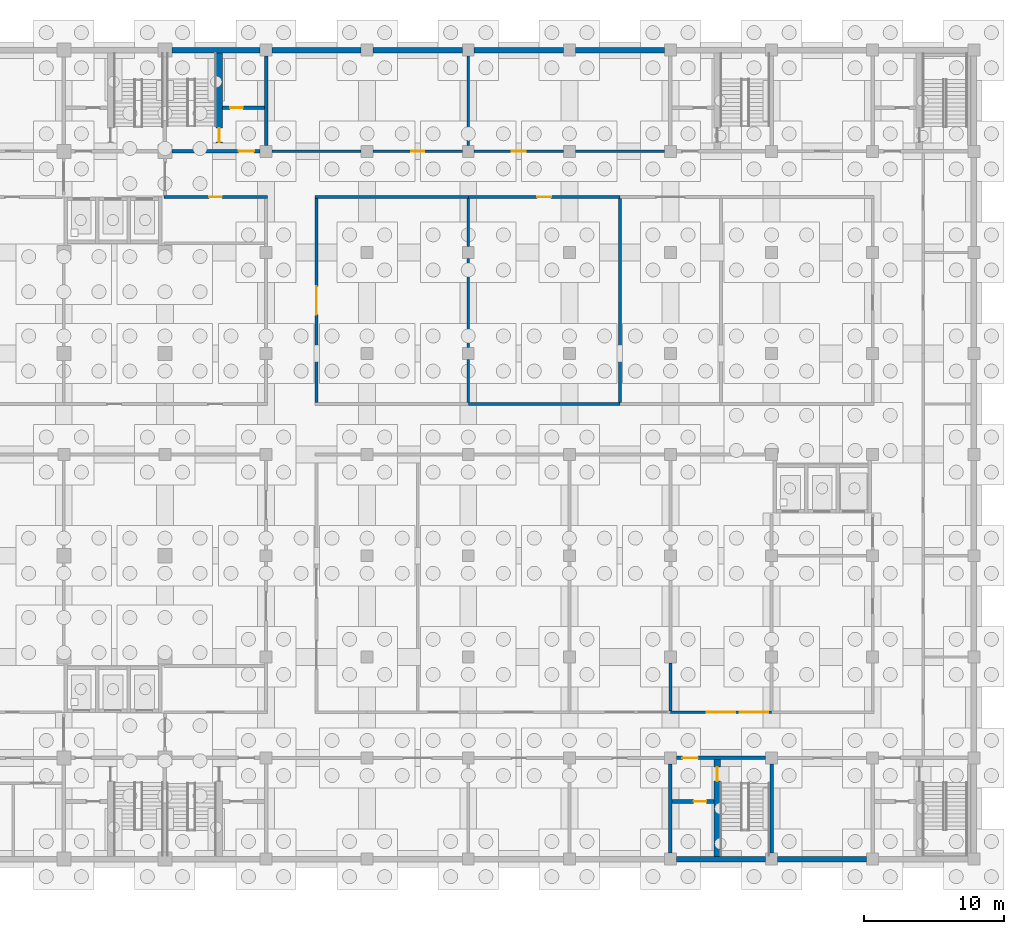
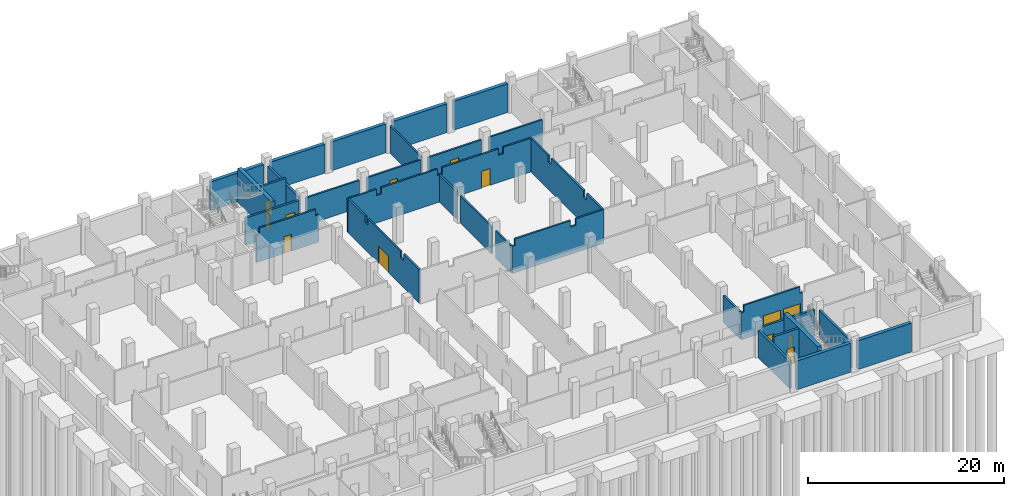
# One storey, part 11 of 19: 32 walls, 13 doors, 13 openings.
"""IFC4 building model written with IfcOpenShell, lengths in metres."""

from ifc_helpers import new_model, si_unit, direction, frame, frame_2d, origin, place, context, subcontext, project, spatial, polyline, rectangle, outline, extrude, material, layer, layer_set, type_object, element, fill, save


model = new_model("IFC4")

# Units and contexts
model_context = context("Model", 3, precision=1e-05, world=origin(), true_north=direction((0.0, 1.0)))
body_context = subcontext(model_context, "Body", "Model", "MODEL_VIEW")
ifc_project = project(units=[si_unit("LENGTHUNIT", "METRE"), si_unit("AREAUNIT", "SQUARE_METRE"), si_unit("VOLUMEUNIT", "CUBIC_METRE"), si_unit("PLANEANGLEUNIT", "RADIAN"), si_unit("MASSUNIT", "GRAM", prefix="KILO")], contexts=[model_context])

# Site, building, storey
site_placement = place(None, origin())
site = spatial("IfcSite", under=ifc_project, at=site_placement, CompositionType="ELEMENT")
building_placement = place(site_placement, origin())
building = spatial("IfcBuilding", under=site, at=building_placement, Name="Silangan Lancet Faculty of Sciences", CompositionType="ELEMENT")
storey_placement = place(building_placement, frame((0.0, 0.0, -4.5)))
storey = spatial("IfcBuildingStorey", under=building, at=storey_placement, Name="B1", CompositionType="ELEMENT", Elevation=-4.5)

# Wall
ifc_material_1 = material(Name="Hollow block masonry fm 7 MPa", Category="masonry")
ifc_layer_1 = layer(ifc_material_1, 0.199951171875)
ifc_layer_set_1 = layer_set([ifc_layer_1], Name="Hollow block masonry fm 7 MPa")
wall_type_1 = type_object("IfcWallType", Name="Interior wall PW1 Corridor wall CHB 200", PredefinedType="PARTITIONING", material=ifc_layer_set_1)
wall_1_placement = place(storey_placement, frame((50.39990234375, 32.39990234375, 0.0), z_axis=(0.0, 0.0, 1.0), x_axis=(1.0, 0.0, 0.0)))
element("IfcWall", 1, at=wall_1_placement, inside=storey, type_object=wall_type_1, Name="Corridor wall CHB 200", PredefinedType="PARTITIONING", context=body_context, shape_type="SweptSolid", body=[
    extrude(outline(polyline([(0.0, 0.0), (10.800048828125, 0.0), (10.800048828125, 4.199951171875), (7.5, 4.199951171875), (7.5, 3.39990234375), (6.900146484375, 3.39990234375), (6.900146484375, 4.199951171875), (0.300048828125, 4.199951171875), (0.300048828125, 3.39990234375), (0.0, 3.39990234375), (0.0, 0.0)])), frame((0.0, 0.10009765625, 0.0), z_axis=(0.0, -1.0, 0.0), x_axis=(1.0, 0.0, 0.0)), (0.0, 0.0, 1.0), 0.199951171875),
])

# Wall, opening, door
wall_2_placement = place(storey_placement, frame((50.39990234375, 47.14990234375, 0.0), z_axis=(0.0, 0.0, 1.0), x_axis=(1.0, 0.0, 0.0)))
wall_2 = element("IfcWall", 2, at=wall_2_placement, inside=storey, type_object=wall_type_1, Name="Corridor wall CHB 200", PredefinedType="PARTITIONING", context=body_context, shape_type="SweptSolid", body=[
    extrude(outline(polyline([(0.0, 0.0), (10.800048828125, 0.0), (10.800048828125, 4.199951171875), (7.5, 4.199951171875), (7.5, 3.39990234375), (6.900146484375, 3.39990234375), (6.900146484375, 4.199951171875), (0.300048828125, 4.199951171875), (0.300048828125, 3.39990234375), (0.0, 3.39990234375), (0.0, 0.0)])), frame((0.0, 0.10009765625, 0.0), z_axis=(0.0, -1.0, 0.0), x_axis=(1.0, 0.0, 0.0)), (0.0, 0.0, 1.0), 0.199951171875),
])
opening_1_placement = place(wall_2_placement, frame((4.900146484375, 0.0, 0.0)))
opening_1 = element("IfcOpeningElement", 3, at=opening_1_placement, cuts=wall_2, Name="Opening B1-028", PredefinedType="OPENING", context=body_context, shape_type="SweptSolid", body=[
    extrude(rectangle(XDim=1.0, YDim=2.10009765625, at=frame_2d((0.5, 1.050048828125))), frame((0.0, 0.10986328125, 0.0), z_axis=(0.0, -1.0, 0.0), x_axis=(1.0, 0.0, 0.0)), (0.0, 0.0, 1.0), 0.219970703125),
])
ifc_material_2 = material(Name="Steel fire door set", Category="steel")
door_type_1 = type_object("IfcDoorType", Name="Door D1 Single leaf fire door 1000 x 2100", OperationType="SINGLE_SWING_LEFT", PredefinedType="DOOR", material=ifc_material_2)
door_1_placement = place(opening_1_placement, frame((1.0, 0.0, 0.0), z_axis=(0.0, 0.0, 1.0), x_axis=(-1.0, 0.0, 0.0)))
door_1 = element("IfcDoor", 4, at=door_1_placement, inside=storey, type_object=door_type_1, Name="Single leaf fire door 1000 x 2100", OperationType="SINGLE_SWING_LEFT", OverallHeight=2.10009765625, OverallWidth=1.0, PredefinedType="DOOR", context=body_context, shape_type="SweptSolid", body=[
    extrude(rectangle(XDim=1.0, YDim=2.10009765625, at=frame_2d((0.5, 1.050048828125))), frame((0.0, 0.025146484375, 0.0), z_axis=(0.0, -1.0, 0.0), x_axis=(1.0, 0.0, 0.0)), (0.0, 0.0, 1.0), 0.050048828125),
])
fill(opening_1, door_1)

wall_3_placement = place(storey_placement, frame((50.824951171875, 50.39990234375, 0.0), z_axis=(0.0, 0.0, 1.0), x_axis=(1.0, 0.0, 0.0)))
wall_3 = element("IfcWall", 5, at=wall_3_placement, inside=storey, type_object=wall_type_1, Name="Corridor wall CHB 200", PredefinedType="PARTITIONING", context=body_context, shape_type="SweptSolid", body=[
    extrude(rectangle(XDim=6.35009765625, YDim=0.199951171875, at=frame_2d((3.175048828125, 0.0))), origin(), (0.0, 0.0, 1.0), 3.39990234375),
])
opening_2_placement = place(wall_3_placement, frame((2.675048828125, 0.0, 0.0)))
opening_2 = element("IfcOpeningElement", 6, at=opening_2_placement, cuts=wall_3, Name="Opening B1-042", PredefinedType="OPENING", context=body_context, shape_type="SweptSolid", body=[
    extrude(rectangle(XDim=1.0, YDim=2.10009765625, at=frame_2d((0.5, 1.050048828125))), frame((0.0, 0.10986328125, 0.0), z_axis=(0.0, -1.0, 0.0), x_axis=(1.0, 0.0, 0.0)), (0.0, 0.0, 1.0), 0.219970703125),
])
door_2_placement = place(opening_2_placement, origin())
door_2 = element("IfcDoor", 7, at=door_2_placement, inside=storey, type_object=door_type_1, Name="Single leaf fire door 1000 x 2100", OperationType="SINGLE_SWING_RIGHT", OverallHeight=2.10009765625, OverallWidth=1.0, PredefinedType="DOOR", context=body_context, shape_type="SweptSolid", body=[
    extrude(rectangle(XDim=1.0, YDim=2.10009765625, at=frame_2d((0.5, 1.050048828125))), frame((0.0, 0.02490234375, 0.0), z_axis=(0.0, -1.0, 0.0), x_axis=(1.0, 0.0, 0.0)), (0.0, 0.0, 1.0), 0.050048828125),
])
fill(opening_2, door_2)

# Wall
wall_4_placement = place(storey_placement, frame((58.02490234375, 50.39990234375, 0.0), z_axis=(0.0, 0.0, 1.0), x_axis=(1.0, 0.0, 0.0)))
element("IfcWall", 8, at=wall_4_placement, inside=storey, type_object=wall_type_1, Name="Corridor wall CHB 200", PredefinedType="PARTITIONING", context=body_context, shape_type="SweptSolid", body=[
    extrude(rectangle(XDim=6.35009765625, YDim=0.199951171875, at=frame_2d((3.175048828125, 0.0))), origin(), (0.0, 0.0, 1.0), 3.39990234375),
])

# Wall, opening, door
ifc_material_3 = material(Name="Concrete C35/45", Category="concrete")
ifc_layer_2 = layer(ifc_material_3, 0.199951171875)
ifc_layer_set_2 = layer_set([ifc_layer_2], Name="Concrete C35/45")
wall_type_2 = type_object("IfcWallType", Name="Interior wall PW5 Riser wall RC 200", PredefinedType="SOLIDWALL", material=ifc_layer_set_2)
wall_5_placement = place(storey_placement, frame((28.72509765625, 47.14990234375, 0.0), z_axis=(0.0, 0.0, 1.0), x_axis=(1.0, 0.0, 0.0)))
wall_5 = element("IfcWall", 9, at=wall_5_placement, inside=storey, type_object=wall_type_2, Name="Riser wall RC 200", PredefinedType="SOLIDWALL", context=body_context, shape_type="SweptSolid", body=[
    extrude(outline(polyline([(0.0, 0.0), (7.375, 0.0), (7.375, 3.39990234375), (6.974853515625, 3.39990234375), (6.974853515625, 4.199951171875), (0.375, 4.199951171875), (0.375, 3.39990234375), (0.0, 3.39990234375), (0.0, 0.0)])), frame((0.0, 0.10009765625, 0.0), z_axis=(0.0, -1.0, 0.0), x_axis=(1.0, 0.0, 0.0)), (0.0, 0.0, 1.0), 0.199951171875),
])
opening_3_placement = place(wall_5_placement, frame((3.224853515625, 0.0, 0.0)))
opening_3 = element("IfcOpeningElement", 10, at=opening_3_placement, cuts=wall_5, Name="Opening B1-026", PredefinedType="OPENING", context=body_context, shape_type="SweptSolid", body=[
    extrude(rectangle(XDim=0.89990234375, YDim=2.10009765625, at=frame_2d((0.449951171875, 1.050048828125))), frame((0.0, 0.10986328125, 0.0), z_axis=(0.0, -1.0, 0.0), x_axis=(1.0, 0.0, 0.0)), (0.0, 0.0, 1.0), 0.219970703125),
])
ifc_material_4 = material(Name="Steel fire door set", Category="steel")
door_type_2 = type_object("IfcDoorType", Name="Door D9 Riser access door 900 x 2100", OperationType="SINGLE_SWING_LEFT", PredefinedType="DOOR", material=ifc_material_4)
door_3_placement = place(opening_3_placement, frame((0.89990234375, 0.0, 0.0), z_axis=(0.0, 0.0, 1.0), x_axis=(-1.0, 0.0, 0.0)))
door_3 = element("IfcDoor", 11, at=door_3_placement, inside=storey, type_object=door_type_2, Name="Riser access door 900 x 2100", OperationType="SINGLE_SWING_LEFT", OverallHeight=2.10009765625, OverallWidth=0.89990234375, PredefinedType="DOOR", context=body_context, shape_type="SweptSolid", body=[
    extrude(rectangle(XDim=0.89990234375, YDim=2.10009765625, at=frame_2d((0.449951171875, 1.050048828125))), frame((0.0, 0.025146484375, 0.0), z_axis=(0.0, -1.0, 0.0), x_axis=(1.0, 0.0, 0.0)), (0.0, 0.0, 1.0), 0.050048828125),
])
fill(opening_3, door_3)

# Wall
wall_6_placement = place(storey_placement, frame((36.425048828125, 50.39990234375, 0.0), z_axis=(0.0, 0.0, 1.0), x_axis=(1.0, 0.0, 0.0)))
element("IfcWall", 12, at=wall_6_placement, inside=storey, type_object=wall_type_2, Name="Riser wall RC 200", PredefinedType="SOLIDWALL", context=body_context, shape_type="SweptSolid", body=[
    extrude(rectangle(XDim=6.349853515625, YDim=0.199951171875, at=frame_2d((3.1748046875, 0.0))), origin(), (0.0, 0.0, 1.0), 3.39990234375),
])

# Wall, opening, door
wall_7_placement = place(storey_placement, frame((43.625, 50.39990234375, 0.0), z_axis=(0.0, 0.0, 1.0), x_axis=(1.0, 0.0, 0.0)))
wall_7 = element("IfcWall", 13, at=wall_7_placement, inside=storey, type_object=wall_type_2, Name="Riser wall RC 200", PredefinedType="SOLIDWALL", context=body_context, shape_type="SweptSolid", body=[
    extrude(rectangle(XDim=6.35009765625, YDim=0.199951171875, at=frame_2d((3.175048828125, 0.0))), origin(), (0.0, 0.0, 1.0), 3.39990234375),
])
opening_4_placement = place(wall_7_placement, frame((2.72509765625, 0.0, 0.0)))
opening_4 = element("IfcOpeningElement", 14, at=opening_4_placement, cuts=wall_7, Name="Opening B1-041", PredefinedType="OPENING", context=body_context, shape_type="SweptSolid", body=[
    extrude(rectangle(XDim=0.89990234375, YDim=2.10009765625, at=frame_2d((0.449951171875, 1.050048828125))), frame((0.0, 0.10986328125, 0.0), z_axis=(0.0, -1.0, 0.0), x_axis=(1.0, 0.0, 0.0)), (0.0, 0.0, 1.0), 0.219970703125),
])
door_4_placement = place(opening_4_placement, origin())
door_4 = element("IfcDoor", 15, at=door_4_placement, inside=storey, type_object=door_type_2, Name="Riser access door 900 x 2100", OperationType="SINGLE_SWING_LEFT", OverallHeight=2.10009765625, OverallWidth=0.89990234375, PredefinedType="DOOR", context=body_context, shape_type="SweptSolid", body=[
    extrude(rectangle(XDim=0.89990234375, YDim=2.10009765625, at=frame_2d((0.449951171875, 1.050048828125))), frame((0.0, 0.02490234375, 0.0), z_axis=(0.0, -1.0, 0.0), x_axis=(1.0, 0.0, 0.0)), (0.0, 0.0, 1.0), 0.050048828125),
])
fill(opening_4, door_4)

# Wall
wall_8_placement = place(storey_placement, frame((50.39990234375, 50.824951171875, 0.0), z_axis=(0.0, 0.0, 1.0), x_axis=(0.0, 1.0, 0.0)))
element("IfcWall", 16, at=wall_8_placement, inside=storey, type_object=wall_type_2, Name="Riser wall RC 200", PredefinedType="SOLIDWALL", context=body_context, shape_type="SweptSolid", body=[
    extrude(rectangle(XDim=6.35009765625, YDim=0.199951171875, at=frame_2d((3.175048828125, 0.0))), origin(), (0.0, 0.0, 1.0), 3.39990234375),
])

# Wall, openings, doors
ifc_material_5 = material(Name="Hollow block masonry fm 7 MPa", Category="masonry")
ifc_layer_3 = layer(ifc_material_5, 0.199951171875)
ifc_layer_set_3 = layer_set([ifc_layer_3], Name="Hollow block masonry fm 7 MPa")
wall_type_3 = type_object("IfcWallType", Name="Interior wall PW6 Plant room wall CHB 200", PredefinedType="PARTITIONING", material=ifc_layer_set_3)
wall_9_placement = place(storey_placement, frame((64.800048828125, 10.449951171875, 0.0), z_axis=(0.0, 0.0, 1.0), x_axis=(1.0, 0.0, 0.0)))
wall_9 = element("IfcWall", 17, at=wall_9_placement, inside=storey, type_object=wall_type_3, Name="Plant room wall CHB 200", PredefinedType="PARTITIONING", context=body_context, shape_type="SweptSolid", body=[
    extrude(outline(polyline([(0.0, 0.0), (7.199951171875, 0.0), (7.199951171875, 3.39990234375), (6.89990234375, 3.39990234375), (6.89990234375, 4.199951171875), (0.300048828125, 4.199951171875), (0.300048828125, 3.39990234375), (0.0, 3.39990234375), (0.0, 0.0)])), frame((0.0, 0.10009765625, 0.0), z_axis=(0.0, -1.0, 0.0), x_axis=(1.0, 0.0, 0.0)), (0.0, 0.0, 1.0), 0.199951171875),
])
opening_5_placement = place(wall_9_placement, frame((2.60009765625, 0.0, 0.0)))
opening_5 = element("IfcOpeningElement", 18, at=opening_5_placement, cuts=wall_9, Name="Opening B1-019", PredefinedType="OPENING", context=body_context, shape_type="SweptSolid", body=[
    extrude(rectangle(XDim=2.0, YDim=2.10009765625, at=frame_2d((1.0, 1.050048828125))), frame((0.0, 0.10986328125, 0.0), z_axis=(0.0, -1.0, 0.0), x_axis=(1.0, 0.0, 0.0)), (0.0, 0.0, 1.0), 0.219970703125),
])
opening_6_placement = place(wall_9_placement, frame((4.949951171875, 0.0, 0.0)))
opening_6 = element("IfcOpeningElement", 19, at=opening_6_placement, cuts=wall_9, Name="Opening B1-020", PredefinedType="OPENING", context=body_context, shape_type="SweptSolid", body=[
    extrude(rectangle(XDim=2.0, YDim=2.10009765625, at=frame_2d((1.0, 1.050048828125))), frame((0.0, 0.10986328125, 0.0), z_axis=(0.0, -1.0, 0.0), x_axis=(1.0, 0.0, 0.0)), (0.0, 0.0, 1.0), 0.219970703125),
])
ifc_material_6 = material(Name="Steel fire door set", Category="steel")
door_type_3 = type_object("IfcDoorType", Name="Door D8 Plant room double door 2000 x 2100", OperationType="DOUBLE_DOOR_SINGLE_SWING", PredefinedType="DOOR", material=ifc_material_6)
door_5_placement = place(opening_5_placement, origin())
door_5 = element("IfcDoor", 20, at=door_5_placement, inside=storey, type_object=door_type_3, Name="Plant room double door 2000 x 2100", OperationType="DOUBLE_DOOR_SINGLE_SWING", OverallHeight=2.10009765625, OverallWidth=2.0, PredefinedType="DOOR", context=body_context, shape_type="SweptSolid", body=[
    extrude(rectangle(XDim=2.0, YDim=2.10009765625, at=frame_2d((1.0, 1.050048828125))), frame((0.0, 0.02490234375, 0.0), z_axis=(0.0, -1.0, 0.0), x_axis=(1.0, 0.0, 0.0)), (0.0, 0.0, 1.0), 0.050048828125),
])
fill(opening_5, door_5)
door_6_placement = place(opening_6_placement, origin())
door_6 = element("IfcDoor", 21, at=door_6_placement, inside=storey, type_object=door_type_3, Name="Plant room double door 2000 x 2100", OperationType="DOUBLE_DOOR_SINGLE_SWING", OverallHeight=2.10009765625, OverallWidth=2.0, PredefinedType="DOOR", context=body_context, shape_type="SweptSolid", body=[
    extrude(rectangle(XDim=2.0, YDim=2.10009765625, at=frame_2d((1.0, 1.050048828125))), frame((0.0, 0.02490234375, 0.0), z_axis=(0.0, -1.0, 0.0), x_axis=(1.0, 0.0, 0.0)), (0.0, 0.0, 1.0), 0.050048828125),
])
fill(opening_6, door_6)

# Wall
wall_10_placement = place(storey_placement, frame((39.5, 47.14990234375, 0.0), z_axis=(0.0, 0.0, 1.0), x_axis=(1.0, 0.0, 0.0)))
element("IfcWall", 22, at=wall_10_placement, inside=storey, type_object=wall_type_3, Name="Plant room wall CHB 200", PredefinedType="PARTITIONING", context=body_context, shape_type="SweptSolid", body=[
    extrude(outline(polyline([(0.0, 0.0), (10.89990234375, 0.0), (10.89990234375, 3.39990234375), (10.60009765625, 3.39990234375), (10.60009765625, 4.199951171875), (4.0, 4.199951171875), (4.0, 3.39990234375), (3.39990234375, 3.39990234375), (3.39990234375, 4.199951171875), (0.0, 4.199951171875), (0.0, 0.0)])), frame((0.0, 0.10009765625, 0.0), z_axis=(0.0, -1.0, 0.0), x_axis=(1.0, 0.0, 0.0)), (0.0, 0.0, 1.0), 0.199951171875),
])

# Wall, opening, door
wall_11_placement = place(storey_placement, frame((39.60009765625, 32.5, 0.0), z_axis=(0.0, 0.0, 1.0), x_axis=(0.0, 1.0, 0.0)))
wall_11 = element("IfcWall", 23, at=wall_11_placement, inside=storey, type_object=wall_type_3, Name="Plant room wall CHB 200", PredefinedType="PARTITIONING", context=body_context, shape_type="SweptSolid", body=[
    extrude(outline(polyline([(0.0, 0.0), (14.550048828125, 0.0), (14.550048828125, 4.199951171875), (11.0, 4.199951171875), (11.0, 3.39990234375), (10.39990234375, 3.39990234375), (10.39990234375, 4.199951171875), (3.800048828125, 4.199951171875), (3.800048828125, 3.39990234375), (3.199951171875, 3.39990234375), (3.199951171875, 4.199951171875), (0.0, 4.199951171875), (0.0, 0.0)])), frame((0.0, 0.10009765625, 0.0), z_axis=(0.0, -1.0, 0.0), x_axis=(1.0, 0.0, 0.0)), (0.0, 0.0, 1.0), 0.199951171875),
])
opening_7_placement = place(wall_11_placement, frame((6.27490234375, 0.0, 0.0)))
opening_7 = element("IfcOpeningElement", 24, at=opening_7_placement, cuts=wall_11, Name="Opening B1-027", PredefinedType="OPENING", context=body_context, shape_type="SweptSolid", body=[
    extrude(rectangle(XDim=2.0, YDim=2.10009765625, at=frame_2d((1.0, 1.050048828125))), frame((0.0, 0.10986328125, 0.0), z_axis=(0.0, -1.0, 0.0), x_axis=(1.0, 0.0, 0.0)), (0.0, 0.0, 1.0), 0.219970703125),
])
door_7_placement = place(opening_7_placement, origin())
door_7 = element("IfcDoor", 25, at=door_7_placement, inside=storey, type_object=door_type_3, Name="Plant room double door 2000 x 2100", OperationType="DOUBLE_DOOR_SINGLE_SWING", OverallHeight=2.10009765625, OverallWidth=2.0, PredefinedType="DOOR", context=body_context, shape_type="SweptSolid", body=[
    extrude(rectangle(XDim=2.0, YDim=2.10009765625, at=frame_2d((1.0, 1.050048828125))), frame((0.0, 0.02490234375, 0.0), z_axis=(0.0, -1.0, 0.0), x_axis=(1.0, 0.0, 0.0)), (0.0, 0.0, 1.0), 0.050048828125),
])
fill(opening_7, door_7)

# Walls
wall_12_placement = place(storey_placement, frame((50.39990234375, 32.5, 0.0), z_axis=(0.0, 0.0, 1.0), x_axis=(0.0, 1.0, 0.0)))
element("IfcWall", 26, at=wall_12_placement, inside=storey, type_object=wall_type_3, Name="Plant room wall CHB 200", PredefinedType="PARTITIONING", context=body_context, shape_type="SweptSolid", body=[
    extrude(rectangle(XDim=3.074951171875, YDim=0.199951171875, at=frame_2d((1.53759765625, 0.0))), origin(), (0.0, 0.0, 1.0), 3.39990234375),
])
wall_13_placement = place(storey_placement, frame((50.39990234375, 36.425048828125, 0.0), z_axis=(0.0, 0.0, 1.0), x_axis=(0.0, 1.0, 0.0)))
element("IfcWall", 27, at=wall_13_placement, inside=storey, type_object=wall_type_3, Name="Plant room wall CHB 200", PredefinedType="PARTITIONING", context=body_context, shape_type="SweptSolid", body=[
    extrude(rectangle(XDim=6.349853515625, YDim=0.199951171875, at=frame_2d((3.1748046875, 0.0))), origin(), (0.0, 0.0, 1.0), 3.39990234375),
])
wall_14_placement = place(storey_placement, frame((50.39990234375, 43.625, 0.0), z_axis=(0.0, 0.0, 1.0), x_axis=(0.0, 1.0, 0.0)))
element("IfcWall", 28, at=wall_14_placement, inside=storey, type_object=wall_type_3, Name="Plant room wall CHB 200", PredefinedType="PARTITIONING", context=body_context, shape_type="SweptSolid", body=[
    extrude(rectangle(XDim=3.425048828125, YDim=0.199951171875, at=frame_2d((1.71240234375, 0.0))), origin(), (0.0, 0.0, 1.0), 3.39990234375),
])
wall_15_placement = place(storey_placement, frame((61.199951171875, 32.5, 0.0), z_axis=(0.0, 0.0, 1.0), x_axis=(0.0, 1.0, 0.0)))
element("IfcWall", 29, at=wall_15_placement, inside=storey, type_object=wall_type_3, Name="Plant room wall CHB 200", PredefinedType="PARTITIONING", context=body_context, shape_type="SweptSolid", body=[
    extrude(outline(polyline([(0.0, 0.0), (14.550048828125, 0.0), (14.550048828125, 4.199951171875), (11.0, 4.199951171875), (11.0, 3.39990234375), (10.39990234375, 3.39990234375), (10.39990234375, 4.199951171875), (3.800048828125, 4.199951171875), (3.800048828125, 3.39990234375), (3.199951171875, 3.39990234375), (3.199951171875, 4.199951171875), (0.0, 4.199951171875), (0.0, 0.0)])), frame((0.0, 0.10009765625, 0.0), z_axis=(0.0, -1.0, 0.0), x_axis=(1.0, 0.0, 0.0)), (0.0, 0.0, 1.0), 0.199951171875),
])
wall_16_placement = place(storey_placement, frame((64.800048828125, 10.550048828125, 0.0), z_axis=(0.0, 0.0, 1.0), x_axis=(0.0, 1.0, 0.0)))
element("IfcWall", 30, at=wall_16_placement, inside=storey, type_object=wall_type_3, Name="Plant room wall CHB 200", PredefinedType="PARTITIONING", context=body_context, shape_type="SweptSolid", body=[
    extrude(rectangle(XDim=3.425048828125, YDim=0.199951171875, at=frame_2d((1.71240234375, 0.0))), origin(), (0.0, 0.0, 1.0), 3.39990234375),
])
ifc_material_7 = material(Name="Concrete C35/45", Category="concrete")
ifc_layer_4 = layer(ifc_material_7, 0.39990234375)
ifc_layer_set_4 = layer_set([ifc_layer_4], Name="Concrete C35/45")
wall_type_4 = type_object("IfcWallType", Name="RW1 Basement retaining wall", PredefinedType="SOLIDWALL", material=ifc_layer_set_4)
for number, where, z_axis, x_axis, name in (
    (31, (65.22509765625, 0.0, 0.0), (0.0, 0.0, 1.0), (1.0, 0.0, 0.0), "RW-B1-S-09"),
    (32, (72.425048828125, 0.0, 0.0), (0.0, 0.0, 1.0), (1.0, 0.0, 0.0), "RW-B1-S-10"),
):
    element("IfcWall", number, at=place(storey_placement, frame(where, z_axis=z_axis, x_axis=x_axis)), inside=storey, type_object=wall_type_4, Name=name, PredefinedType="SOLIDWALL", context=body_context, shape_type="SweptSolid", body=[
        extrude(rectangle(XDim=6.349853515625, YDim=0.39990234375, at=frame_2d((3.1748046875, 0.0))), origin(), (0.0, 0.0, 1.0), 3.60009765625),
    ])
for number, where, z_axis, x_axis, name in (
    (33, (64.375, 57.60009765625, 0.0), (0.0, 0.0, 1.0), (-1.0, 0.0, 0.0), "RW-B1-N-03"),
    (34, (57.175048828125, 57.60009765625, 0.0), (0.0, 0.0, 1.0), (-1.0, 0.0, 0.0), "RW-B1-N-04"),
    (35, (49.97509765625, 57.60009765625, 0.0), (0.0, 0.0, 1.0), (-1.0, 0.0, 0.0), "RW-B1-N-05"),
):
    element("IfcWall", number, at=place(storey_placement, frame(where, z_axis=z_axis, x_axis=x_axis)), inside=storey, type_object=wall_type_4, Name=name, PredefinedType="SOLIDWALL", context=body_context, shape_type="SweptSolid", body=[
        extrude(rectangle(XDim=6.35009765625, YDim=0.39990234375, at=frame_2d((3.175048828125, 0.0))), origin(), (0.0, 0.0, 1.0), 3.60009765625),
    ])
wall_17_placement = place(storey_placement, frame((42.77490234375, 57.60009765625, 0.0), z_axis=(0.0, 0.0, 1.0), x_axis=(-1.0, 0.0, 0.0)))
element("IfcWall", 36, at=wall_17_placement, inside=storey, type_object=wall_type_4, Name="RW-B1-N-06", PredefinedType="SOLIDWALL", context=body_context, shape_type="SweptSolid", body=[
    extrude(rectangle(XDim=6.349853515625, YDim=0.39990234375, at=frame_2d((3.1748046875, 0.0))), origin(), (0.0, 0.0, 1.0), 3.60009765625),
])
wall_18_placement = place(storey_placement, frame((35.574951171875, 57.60009765625, 0.0), z_axis=(0.0, 0.0, 1.0), x_axis=(-1.0, 0.0, 0.0)))
element("IfcWall", 37, at=wall_18_placement, inside=storey, type_object=wall_type_4, Name="RW-B1-N-07", PredefinedType="SOLIDWALL", context=body_context, shape_type="SweptSolid", body=[
    extrude(rectangle(XDim=6.27490234375, YDim=0.39990234375, at=frame_2d((3.137451171875, 0.0))), origin(), (0.0, 0.0, 1.0), 3.60009765625),
])

# Wall, opening, door
ifc_material_8 = material(Name="Concrete C40/50", Category="concrete")
ifc_layer_5 = layer(ifc_material_8, 0.449951171875)
ifc_layer_set_5 = layer_set([ifc_layer_5], Name="Concrete C40/50")
wall_type_5 = type_object("IfcWallType", Name="TURRET CORE WALL RC 450", PredefinedType="SHEAR", material=ifc_layer_set_5)
wall_19_placement = place(storey_placement, frame((32.675048828125, 50.52490234375, 0.0), z_axis=(0.0, 0.0, 1.0), x_axis=(0.0, 1.0, 0.0)))
wall_19 = element("IfcWall", 38, at=wall_19_placement, inside=storey, type_object=wall_type_5, Name="WALL-B1-NAB-A-WELL", PredefinedType="SHEAR", context=body_context, shape_type="SweptSolid", body=[
    extrude(rectangle(XDim=6.875, YDim=0.449951171875, at=frame_2d((3.4375, 0.0))), origin(), (0.0, 0.0, 1.0), 4.199951171875),
])
opening_8_placement = place(wall_19_placement, frame((0.52490234375, 0.0, 0.0)))
opening_8 = element("IfcOpeningElement", 39, at=opening_8_placement, cuts=wall_19, Name="Opening B1-707", PredefinedType="OPENING", context=body_context, shape_type="SweptSolid", body=[
    extrude(rectangle(XDim=1.0, YDim=2.10009765625, at=frame_2d((0.5, 1.050048828125))), frame((0.0, 0.23486328125, 0.0), z_axis=(0.0, -1.0, 0.0), x_axis=(1.0, 0.0, 0.0)), (0.0, 0.0, 1.0), 0.469970703125),
])
ifc_material_9 = material(Name="Steel fire door set", Category="steel")
door_type_4 = type_object("IfcDoorType", Name="D71 Stair enclosure door 1000x2100", OperationType="SINGLE_SWING_LEFT", PredefinedType="DOOR", material=ifc_material_9)
door_8_placement = place(opening_8_placement, origin())
door_8 = element("IfcDoor", 40, at=door_8_placement, inside=storey, type_object=door_type_4, Name="Stair enclosure door NAB-A B1", OperationType="SINGLE_SWING_LEFT", OverallHeight=2.10009765625, OverallWidth=1.0, PredefinedType="DOOR", context=body_context, shape_type="SweptSolid", body=[
    extrude(rectangle(XDim=1.0, YDim=2.10009765625, at=frame_2d((0.5, 1.050048828125))), frame((0.0, 0.02490234375, 0.0), z_axis=(0.0, -1.0, 0.0), x_axis=(1.0, 0.0, 0.0)), (0.0, 0.0, 1.0), 0.050048828125),
])
fill(opening_8, door_8)

wall_20_placement = place(storey_placement, frame((68.125, 0.199951171875, 0.0), z_axis=(0.0, 0.0, 1.0), x_axis=(0.0, 1.0, 0.0)))
wall_20 = element("IfcWall", 41, at=wall_20_placement, inside=storey, type_object=wall_type_5, Name="WALL-B1-SAB-B-WELL", PredefinedType="SHEAR", context=body_context, shape_type="SweptSolid", body=[
    extrude(rectangle(XDim=6.875, YDim=0.449951171875, at=frame_2d((3.4375, 0.0))), origin(), (0.0, 0.0, 1.0), 4.199951171875),
])
opening_9_placement = place(wall_20_placement, frame((5.35009765625, 0.0, 0.0)))
opening_9 = element("IfcOpeningElement", 42, at=opening_9_placement, cuts=wall_20, Name="Opening B1-722", PredefinedType="OPENING", context=body_context, shape_type="SweptSolid", body=[
    extrude(rectangle(XDim=1.0, YDim=2.10009765625, at=frame_2d((0.5, 1.050048828125))), frame((0.0, 0.23486328125, 0.0), z_axis=(0.0, -1.0, 0.0), x_axis=(1.0, 0.0, 0.0)), (0.0, 0.0, 1.0), 0.469970703125),
])
door_9_placement = place(opening_9_placement, frame((1.0, 0.0, 0.0), z_axis=(0.0, 0.0, 1.0), x_axis=(-1.0, 0.0, 0.0)))
door_9 = element("IfcDoor", 43, at=door_9_placement, inside=storey, type_object=door_type_4, Name="Stair enclosure door SAB-B B1", OperationType="SINGLE_SWING_LEFT", OverallHeight=2.10009765625, OverallWidth=1.0, PredefinedType="DOOR", context=body_context, shape_type="SweptSolid", body=[
    extrude(rectangle(XDim=1.0, YDim=2.10009765625, at=frame_2d((0.5, 1.050048828125))), frame((0.0, 0.025146484375, 0.0), z_axis=(0.0, -1.0, 0.0), x_axis=(1.0, 0.0, 0.0)), (0.0, 0.0, 1.0), 0.050048828125),
])
fill(opening_9, door_9)

ifc_material_10 = material(Name="Concrete C40/50", Category="concrete")
ifc_layer_6 = layer(ifc_material_10, 0.25)
ifc_layer_set_6 = layer_set([ifc_layer_6], Name="Concrete C40/50")
wall_type_6 = type_object("IfcWallType", Name="TURRET WALL RC 250", PredefinedType="SHEAR", material=ifc_layer_set_6)
wall_21_placement = place(storey_placement, frame((29.300048828125, 50.39990234375, 0.0), z_axis=(0.0, 0.0, 1.0), x_axis=(1.0, 0.0, 0.0)))
wall_21 = element("IfcWall", 44, at=wall_21_placement, inside=storey, type_object=wall_type_6, Name="WALL-B1-NAB-A-V", PredefinedType="SHEAR", context=body_context, shape_type="SweptSolid", body=[
    extrude(rectangle(XDim=6.27490234375, YDim=0.25, at=frame_2d((3.137451171875, 0.0))), origin(), (0.0, 0.0, 1.0), 3.39990234375),
])
opening_10_placement = place(wall_21_placement, frame((4.75, 0.0, 0.0)))
opening_10 = element("IfcOpeningElement", 45, at=opening_10_placement, cuts=wall_21, Name="Opening B1-708", PredefinedType="OPENING", context=body_context, shape_type="SweptSolid", body=[
    extrude(rectangle(XDim=1.10009765625, YDim=2.10009765625, at=frame_2d((0.550048828125, 1.050048828125))), frame((0.0, 0.135009765625, 0.0), z_axis=(0.0, -1.0, 0.0), x_axis=(1.0, 0.0, 0.0)), (0.0, 0.0, 1.0), 0.27001953125),
])
ifc_material_11 = material(Name="Steel fire door set", Category="steel")
door_type_5 = type_object("IfcDoorType", Name="D70 Stair vestibule door 1100x2100", OperationType="SINGLE_SWING_LEFT", PredefinedType="DOOR", material=ifc_material_11)
door_10_placement = place(opening_10_placement, origin())
door_10 = element("IfcDoor", 46, at=door_10_placement, inside=storey, type_object=door_type_5, Name="Stair vestibule door NAB-A B1", OperationType="SINGLE_SWING_RIGHT", OverallHeight=2.10009765625, OverallWidth=1.10009765625, PredefinedType="DOOR", context=body_context, shape_type="SweptSolid", body=[
    extrude(rectangle(XDim=1.10009765625, YDim=2.10009765625, at=frame_2d((0.550048828125, 1.050048828125))), frame((0.0, 0.02490234375, 0.0), z_axis=(0.0, -1.0, 0.0), x_axis=(1.0, 0.0, 0.0)), (0.0, 0.0, 1.0), 0.050048828125),
])
fill(opening_10, door_10)

# Wall
wall_22_placement = place(storey_placement, frame((36.0, 50.824951171875, 0.0), z_axis=(0.0, 0.0, 1.0), x_axis=(0.0, 1.0, 0.0)))
element("IfcWall", 47, at=wall_22_placement, inside=storey, type_object=wall_type_6, Name="WALL-B1-NAB-A-O", PredefinedType="SHEAR", context=body_context, shape_type="SweptSolid", body=[
    extrude(rectangle(XDim=6.35009765625, YDim=0.25, at=frame_2d((3.175048828125, 0.0))), origin(), (0.0, 0.0, 1.0), 3.39990234375),
])

# Wall, opening, door
wall_23_placement = place(storey_placement, frame((32.89990234375, 53.5, 0.0), z_axis=(0.0, 0.0, 1.0), x_axis=(1.0, 0.0, 0.0)))
wall_23 = element("IfcWall", 48, at=wall_23_placement, inside=storey, type_object=wall_type_6, Name="WALL-B1-NAB-A-RISER", PredefinedType="SHEAR", context=body_context, shape_type="SweptSolid", body=[
    extrude(rectangle(XDim=2.97509765625, YDim=0.25, at=frame_2d((1.487548828125, 0.0))), origin(), (0.0, 0.0, 1.0), 4.199951171875),
])
opening_11_placement = place(wall_23_placement, frame((0.550048828125, 0.0, 0.0)))
opening_11 = element("IfcOpeningElement", 49, at=opening_11_placement, cuts=wall_23, Name="Opening B1-709", PredefinedType="OPENING", context=body_context, shape_type="SweptSolid", body=[
    extrude(rectangle(XDim=0.89990234375, YDim=2.10009765625, at=frame_2d((0.449951171875, 1.050048828125))), frame((0.0, 0.135009765625, 0.0), z_axis=(0.0, -1.0, 0.0), x_axis=(1.0, 0.0, 0.0)), (0.0, 0.0, 1.0), 0.27001953125),
])
ifc_material_12 = material(Name="Steel fire door set", Category="steel")
door_type_6 = type_object("IfcDoorType", Name="D72 Riser access door 900x2100", OperationType="SINGLE_SWING_LEFT", PredefinedType="DOOR", material=ifc_material_12)
door_11_placement = place(opening_11_placement, origin())
door_11 = element("IfcDoor", 50, at=door_11_placement, inside=storey, type_object=door_type_6, Name="Riser access door NAB-A B1", OperationType="SINGLE_SWING_RIGHT", OverallHeight=2.10009765625, OverallWidth=0.89990234375, PredefinedType="DOOR", context=body_context, shape_type="SweptSolid", body=[
    extrude(rectangle(XDim=0.89990234375, YDim=2.10009765625, at=frame_2d((0.449951171875, 1.050048828125))), frame((0.0, 0.02490234375, 0.0), z_axis=(0.0, -1.0, 0.0), x_axis=(1.0, 0.0, 0.0)), (0.0, 0.0, 1.0), 0.050048828125),
])
fill(opening_11, door_11)

wall_24_placement = place(storey_placement, frame((65.22509765625, 7.199951171875, 0.0), z_axis=(0.0, 0.0, 1.0), x_axis=(1.0, 0.0, 0.0)))
wall_24 = element("IfcWall", 51, at=wall_24_placement, inside=storey, type_object=wall_type_6, Name="WALL-B1-SAB-B-V", PredefinedType="SHEAR", context=body_context, shape_type="SweptSolid", body=[
    extrude(rectangle(XDim=6.349853515625, YDim=0.25, at=frame_2d((3.1748046875, 0.0))), origin(), (0.0, 0.0, 1.0), 3.39990234375),
])
opening_12_placement = place(wall_24_placement, frame((0.425048828125, 0.0, 0.0)))
opening_12 = element("IfcOpeningElement", 52, at=opening_12_placement, cuts=wall_24, Name="Opening B1-723", PredefinedType="OPENING", context=body_context, shape_type="SweptSolid", body=[
    extrude(rectangle(XDim=1.10009765625, YDim=2.10009765625, at=frame_2d((0.550048828125, 1.050048828125))), frame((0.0, 0.135009765625, 0.0), z_axis=(0.0, -1.0, 0.0), x_axis=(1.0, 0.0, 0.0)), (0.0, 0.0, 1.0), 0.27001953125),
])
door_12_placement = place(opening_12_placement, frame((1.10009765625, 0.0, 0.0), z_axis=(0.0, 0.0, 1.0), x_axis=(-1.0, 0.0, 0.0)))
door_12 = element("IfcDoor", 53, at=door_12_placement, inside=storey, type_object=door_type_5, Name="Stair vestibule door SAB-B B1", OperationType="SINGLE_SWING_RIGHT", OverallHeight=2.10009765625, OverallWidth=1.10009765625, PredefinedType="DOOR", context=body_context, shape_type="SweptSolid", body=[
    extrude(rectangle(XDim=1.10009765625, YDim=2.10009765625, at=frame_2d((0.550048828125, 1.050048828125))), frame((0.0, 0.025146484375, 0.0), z_axis=(0.0, -1.0, 0.0), x_axis=(1.0, 0.0, 0.0)), (0.0, 0.0, 1.0), 0.050048828125),
])
fill(opening_12, door_12)

# Walls
for number, where, z_axis, x_axis, name in (
    (54, (72.0, 0.425048828125, 0.0), (0.0, 0.0, 1.0), (0.0, 1.0, 0.0), "WALL-B1-SAB-B-W"),
    (55, (64.800048828125, 0.425048828125, 0.0), (0.0, 0.0, 1.0), (0.0, 1.0, 0.0), "WALL-B1-SAB-B-O"),
):
    element("IfcWall", number, at=place(storey_placement, frame(where, z_axis=z_axis, x_axis=x_axis)), inside=storey, type_object=wall_type_6, Name=name, PredefinedType="SHEAR", context=body_context, shape_type="SweptSolid", body=[
        extrude(rectangle(XDim=6.349853515625, YDim=0.25, at=frame_2d((3.1748046875, 0.0))), origin(), (0.0, 0.0, 1.0), 3.39990234375),
    ])

# Wall, opening, door
wall_25_placement = place(storey_placement, frame((64.925048828125, 4.10009765625, 0.0), z_axis=(0.0, 0.0, 1.0), x_axis=(1.0, 0.0, 0.0)))
wall_25 = element("IfcWall", 56, at=wall_25_placement, inside=storey, type_object=wall_type_6, Name="WALL-B1-SAB-B-RISER", PredefinedType="SHEAR", context=body_context, shape_type="SweptSolid", body=[
    extrude(rectangle(XDim=2.974853515625, YDim=0.25, at=frame_2d((1.4873046875, 0.0))), origin(), (0.0, 0.0, 1.0), 4.199951171875),
])
opening_13_placement = place(wall_25_placement, frame((1.52490234375, 0.0, 0.0)))
opening_13 = element("IfcOpeningElement", 57, at=opening_13_placement, cuts=wall_25, Name="Opening B1-724", PredefinedType="OPENING", context=body_context, shape_type="SweptSolid", body=[
    extrude(rectangle(XDim=0.89990234375, YDim=2.10009765625, at=frame_2d((0.449951171875, 1.050048828125))), frame((0.0, 0.135009765625, 0.0), z_axis=(0.0, -1.0, 0.0), x_axis=(1.0, 0.0, 0.0)), (0.0, 0.0, 1.0), 0.27001953125),
])
door_13_placement = place(opening_13_placement, frame((0.89990234375, 0.0, 0.0), z_axis=(0.0, 0.0, 1.0), x_axis=(-1.0, 0.0, 0.0)))
door_13 = element("IfcDoor", 58, at=door_13_placement, inside=storey, type_object=door_type_6, Name="Riser access door SAB-B B1", OperationType="SINGLE_SWING_RIGHT", OverallHeight=2.10009765625, OverallWidth=0.89990234375, PredefinedType="DOOR", context=body_context, shape_type="SweptSolid", body=[
    extrude(rectangle(XDim=0.89990234375, YDim=2.10009765625, at=frame_2d((0.449951171875, 1.050048828125))), frame((0.0, 0.025146484375, 0.0), z_axis=(0.0, -1.0, 0.0), x_axis=(1.0, 0.0, 0.0)), (0.0, 0.0, 1.0), 0.050048828125),
])
fill(opening_13, door_13)

save(model, "model.ifc")
